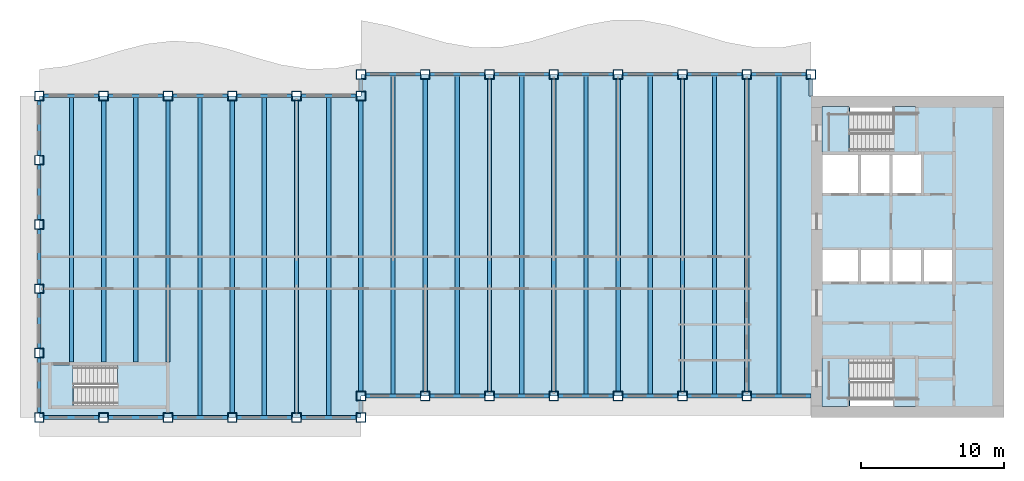
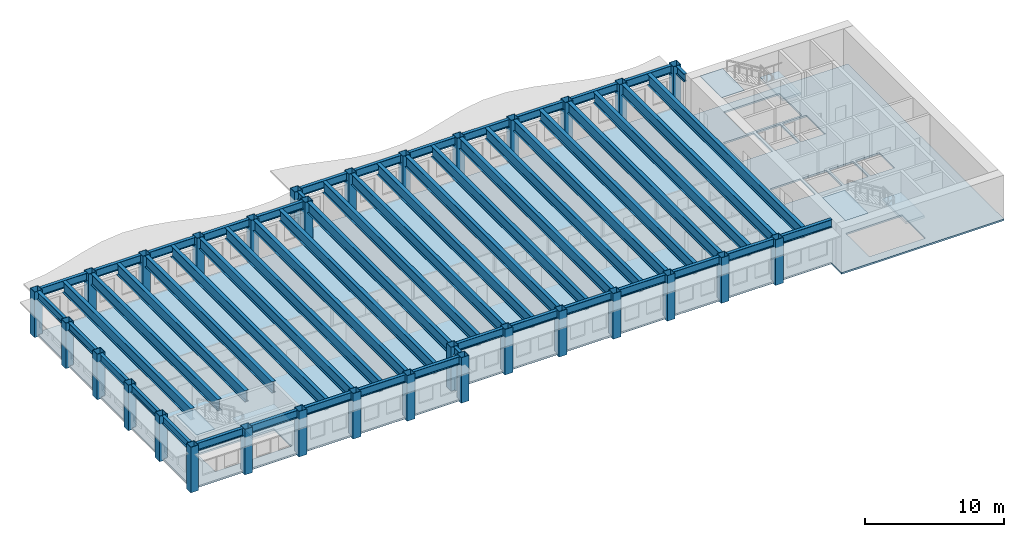
# One storey, part 1 of 12: 55 beams, 31 columns, 7 slabs, 3 elements without a shape of their own.
"""IFC4 building model written with IfcOpenShell, lengths in metres."""

from ifc_helpers import new_model, si_unit, direction, frame, origin, origin_2d, place, context, subcontext, project, spatial, polyline, hollow_rectangle, i_section, outline, extrude, material, layer, layer_set, material_profile, profile_set, type_object, element, aggregate, save


model = new_model("IFC4")

# Units and contexts
model_context = context("Model", 3, precision=1e-05, world=origin(), true_north=direction((0.0, 1.0)))
body_context = subcontext(model_context, "Body", "Model", "MODEL_VIEW")
ifc_project = project(units=[si_unit("LENGTHUNIT", "METRE"), si_unit("AREAUNIT", "SQUARE_METRE"), si_unit("VOLUMEUNIT", "CUBIC_METRE"), si_unit("PLANEANGLEUNIT", "RADIAN"), si_unit("MASSUNIT", "GRAM", prefix="KILO")], contexts=[model_context])

# Site, building, storey
site_placement = place(None, origin())
site = spatial("IfcSite", under=ifc_project, at=site_placement, CompositionType="ELEMENT")
building_placement = place(site_placement, origin())
building = spatial("IfcBuilding", under=site, at=building_placement, Name="Sennacour Bend Tower", CompositionType="ELEMENT")
storey_placement = place(building_placement, frame((0.0, 0.0, 253.0)))
storey = spatial("IfcBuildingStorey", under=building, at=storey_placement, Name="L58", CompositionType="ELEMENT", Elevation=253.0)

# Columns
ifc_material_1 = material(Name="Steel ASTM A572 Grade 50", Category="steel")
ifc_material_profile_1 = material_profile(ifc_material_1, hollow_rectangle(XDim=0.64990234375, YDim=0.64990234375, WallThickness=0.031982421875, at=origin_2d()), Name="Steel ASTM A572 Grade 50", Category="steel")
ifc_profile_set_1 = profile_set([ifc_material_profile_1], Name="Steel ASTM A572 Grade 50")
column_type = type_object("IfcColumnType", Name="Box column 650", PredefinedType="COLUMN", material=ifc_profile_set_1)
for number, where, z_axis, x_axis, name in (
    (1, (0.0, 0.0, -0.14990234375), (0.0, 0.0, 1.0), (1.0, 0.0, 0.0), "Perimeter column C5 L58-001"),
    (2, (0.0, 4.5, -0.14990234375), (0.0, 0.0, 1.0), (1.0, 0.0, 0.0), "Perimeter column C5 L58-002"),
    (3, (0.0, 9.0, -0.14990234375), (0.0, 0.0, 1.0), (1.0, 0.0, 0.0), "Perimeter column C5 L58-003"),
    (4, (0.0, 13.5, -0.14990234375), (0.0, 0.0, 1.0), (1.0, 0.0, 0.0), "Perimeter column C5 L58-004"),
    (5, (0.0, 18.0, -0.14990234375), (0.0, 0.0, 1.0), (1.0, 0.0, 0.0), "Perimeter column C5 L58-005"),
    (6, (0.0, 22.5, -0.14990234375), (0.0, 0.0, 1.0), (1.0, 0.0, 0.0), "Perimeter column C5 L58-006"),
    (7, (4.5, 0.0, -0.14990234375), (0.0, 0.0, 1.0), (1.0, 0.0, 0.0), "Perimeter column C5 L58-007"),
    (8, (4.5, 22.5, -0.14990234375), (0.0, 0.0, 1.0), (1.0, 0.0, 0.0), "Perimeter column C5 L58-008"),
    (9, (9.0, 0.0, -0.14990234375), (0.0, 0.0, 1.0), (1.0, 0.0, 0.0), "Perimeter column C5 L58-009"),
    (10, (9.0, 22.5, -0.14990234375), (0.0, 0.0, 1.0), (1.0, 0.0, 0.0), "Perimeter column C5 L58-010"),
    (11, (13.5, 0.0, -0.14990234375), (0.0, 0.0, 1.0), (1.0, 0.0, 0.0), "Perimeter column C5 L58-011"),
    (12, (13.5, 22.5, -0.14990234375), (0.0, 0.0, 1.0), (1.0, 0.0, 0.0), "Perimeter column C5 L58-012"),
    (13, (18.0, 0.0, -0.14990234375), (0.0, 0.0, 1.0), (1.0, 0.0, 0.0), "Perimeter column C5 L58-013"),
    (14, (18.0, 22.5, -0.14990234375), (0.0, 0.0, 1.0), (1.0, 0.0, 0.0), "Perimeter column C5 L58-014"),
    (15, (22.5, 0.0, -0.14990234375), (0.0, 0.0, 1.0), (1.0, 0.0, 0.0), "Perimeter column C5 L58-015"),
    (16, (22.5, 1.5, -0.14990234375), (0.0, 0.0, 1.0), (1.0, 0.0, 0.0), "Perimeter column C5 L58-016"),
    (17, (22.5, 22.5, -0.14990234375), (0.0, 0.0, 1.0), (1.0, 0.0, 0.0), "Perimeter column C5 L58-017"),
    (18, (22.5, 24.0, -0.14990234375), (0.0, 0.0, 1.0), (1.0, 0.0, 0.0), "Perimeter column C5 L58-018"),
    (19, (27.0, 1.5, -0.14990234375), (0.0, 0.0, 1.0), (1.0, 0.0, 0.0), "Perimeter column C5 L58-019"),
    (20, (27.0, 24.0, -0.14990234375), (0.0, 0.0, 1.0), (1.0, 0.0, 0.0), "Perimeter column C5 L58-020"),
    (21, (31.5, 1.5, -0.14990234375), (0.0, 0.0, 1.0), (1.0, 0.0, 0.0), "Perimeter column C5 L58-021"),
    (22, (31.5, 24.0, -0.14990234375), (0.0, 0.0, 1.0), (1.0, 0.0, 0.0), "Perimeter column C5 L58-022"),
    (23, (36.0, 1.5, -0.14990234375), (0.0, 0.0, 1.0), (1.0, 0.0, 0.0), "Perimeter column C5 L58-023"),
    (24, (36.0, 24.0, -0.14990234375), (0.0, 0.0, 1.0), (1.0, 0.0, 0.0), "Perimeter column C5 L58-024"),
    (25, (40.5, 1.5, -0.14990234375), (0.0, 0.0, 1.0), (1.0, 0.0, 0.0), "Perimeter column C5 L58-025"),
    (26, (40.5, 24.0, -0.14990234375), (0.0, 0.0, 1.0), (1.0, 0.0, 0.0), "Perimeter column C5 L58-026"),
    (27, (45.0, 1.5, -0.14990234375), (0.0, 0.0, 1.0), (1.0, 0.0, 0.0), "Perimeter column C5 L58-027"),
    (28, (45.0, 24.0, -0.14990234375), (0.0, 0.0, 1.0), (1.0, 0.0, 0.0), "Perimeter column C5 L58-028"),
    (29, (49.5, 1.5, -0.14990234375), (0.0, 0.0, 1.0), (1.0, 0.0, 0.0), "Perimeter column C5 L58-029"),
    (30, (49.5, 24.0, -0.14990234375), (0.0, 0.0, 1.0), (1.0, 0.0, 0.0), "Perimeter column C5 L58-030"),
    (31, (54.0, 24.0, -0.14990234375), (0.0, 0.0, 1.0), (1.0, 0.0, 0.0), "Perimeter column C5 L58-031"),
):
    element("IfcColumn", number, at=place(storey_placement, frame(where, z_axis=z_axis, x_axis=x_axis)), inside=storey, type_object=column_type, Name=name, PredefinedType="COLUMN", context=body_context, shape_type="SweptSolid", body=[
        extrude(hollow_rectangle(XDim=0.64990234375, YDim=0.64990234375, WallThickness=0.031982421875, at=origin_2d()), origin(), (0.0, 0.0, 1.0), 4.0),
    ])

# Beams
ifc_material_2 = material(Name="Steel ASTM A992 Grade 50", Category="steel")
ifc_material_profile_2 = material_profile(ifc_material_2, i_section(OverallWidth=0.300048828125, OverallDepth=0.97998046875, WebThickness=0.0166015625, FlangeThickness=0.026123046875, FilletRadius=0.02978515625, at=origin_2d()), Name="Steel ASTM A992 Grade 50", Category="steel")
ifc_profile_set_2 = profile_set([ifc_material_profile_2], Name="Steel ASTM A992 Grade 50")
beam_type_1 = type_object("IfcBeamType", Name="Floor beam W1000X249", PredefinedType="BEAM", material=ifc_profile_set_2)
beam_1_placement = place(storey_placement, frame((2.25, 3.875, 3.360107421875), z_axis=(0.0, 1.0, 0.0), x_axis=(-1.0, 0.0, 0.0)))
element("IfcBeam", 32, at=beam_1_placement, inside=storey, type_object=beam_type_1, Name="Floor beam FBM2 L59-001", PredefinedType="BEAM", context=body_context, shape_type="SweptSolid", body=[
    extrude(i_section(OverallWidth=0.300048828125, OverallDepth=0.97998046875, WebThickness=0.0166015625, FlangeThickness=0.026123046875, FilletRadius=0.02978515625, at=origin_2d()), origin(), (0.0, 0.0, 1.0), 18.498046875),
])
beam_2_placement = place(storey_placement, frame((4.5, 3.875, 3.360107421875), z_axis=(0.0, 1.0, 0.0), x_axis=(-1.0, 0.0, 0.0)))
element("IfcBeam", 33, at=beam_2_placement, inside=storey, type_object=beam_type_1, Name="Floor beam FBM2 L59-002", PredefinedType="BEAM", context=body_context, shape_type="SweptSolid", body=[
    extrude(i_section(OverallWidth=0.300048828125, OverallDepth=0.97998046875, WebThickness=0.0166015625, FlangeThickness=0.026123046875, FilletRadius=0.02978515625, at=origin_2d()), origin(), (0.0, 0.0, 1.0), 18.300048828125),
])
beam_3_placement = place(storey_placement, frame((6.75, 3.875, 3.360107421875), z_axis=(0.0, 1.0, 0.0), x_axis=(-1.0, 0.0, 0.0)))
element("IfcBeam", 34, at=beam_3_placement, inside=storey, type_object=beam_type_1, Name="Floor beam FBM2 L59-003", PredefinedType="BEAM", context=body_context, shape_type="SweptSolid", body=[
    extrude(i_section(OverallWidth=0.300048828125, OverallDepth=0.97998046875, WebThickness=0.0166015625, FlangeThickness=0.026123046875, FilletRadius=0.02978515625, at=origin_2d()), origin(), (0.0, 0.0, 1.0), 18.498046875),
])
beam_4_placement = place(storey_placement, frame((9.0, 3.875, 3.360107421875), z_axis=(0.0, 1.0, 0.0), x_axis=(-1.0, 0.0, 0.0)))
element("IfcBeam", 35, at=beam_4_placement, inside=storey, type_object=beam_type_1, Name="Floor beam FBM2 L59-004", PredefinedType="BEAM", context=body_context, shape_type="SweptSolid", body=[
    extrude(i_section(OverallWidth=0.300048828125, OverallDepth=0.97998046875, WebThickness=0.0166015625, FlangeThickness=0.026123046875, FilletRadius=0.02978515625, at=origin_2d()), origin(), (0.0, 0.0, 1.0), 18.300048828125),
])
beam_5_placement = place(storey_placement, frame((11.25, 0.126953125, 3.360107421875), z_axis=(0.0, 1.0, 0.0), x_axis=(-1.0, 0.0, 0.0)))
element("IfcBeam", 36, at=beam_5_placement, inside=storey, type_object=beam_type_1, Name="Floor beam FBM2 L59-005", PredefinedType="BEAM", context=body_context, shape_type="SweptSolid", body=[
    extrude(i_section(OverallWidth=0.300048828125, OverallDepth=0.97998046875, WebThickness=0.0166015625, FlangeThickness=0.026123046875, FilletRadius=0.02978515625, at=origin_2d()), origin(), (0.0, 0.0, 1.0), 22.24609375),
])
beam_6_placement = place(storey_placement, frame((13.5, 0.324951171875, 3.360107421875), z_axis=(0.0, 1.0, 0.0), x_axis=(-1.0, 0.0, 0.0)))
element("IfcBeam", 37, at=beam_6_placement, inside=storey, type_object=beam_type_1, Name="Floor beam FBM2 L59-006", PredefinedType="BEAM", context=body_context, shape_type="SweptSolid", body=[
    extrude(i_section(OverallWidth=0.300048828125, OverallDepth=0.97998046875, WebThickness=0.0166015625, FlangeThickness=0.026123046875, FilletRadius=0.02978515625, at=origin_2d()), origin(), (0.0, 0.0, 1.0), 21.85009765625),
])
beam_7_placement = place(storey_placement, frame((15.75, 0.126953125, 3.360107421875), z_axis=(0.0, 1.0, 0.0), x_axis=(-1.0, 0.0, 0.0)))
element("IfcBeam", 38, at=beam_7_placement, inside=storey, type_object=beam_type_1, Name="Floor beam FBM2 L59-007", PredefinedType="BEAM", context=body_context, shape_type="SweptSolid", body=[
    extrude(i_section(OverallWidth=0.300048828125, OverallDepth=0.97998046875, WebThickness=0.0166015625, FlangeThickness=0.026123046875, FilletRadius=0.02978515625, at=origin_2d()), origin(), (0.0, 0.0, 1.0), 22.24609375),
])
beam_8_placement = place(storey_placement, frame((18.0, 0.324951171875, 3.360107421875), z_axis=(0.0, 1.0, 0.0), x_axis=(-1.0, 0.0, 0.0)))
element("IfcBeam", 39, at=beam_8_placement, inside=storey, type_object=beam_type_1, Name="Floor beam FBM2 L59-008", PredefinedType="BEAM", context=body_context, shape_type="SweptSolid", body=[
    extrude(i_section(OverallWidth=0.300048828125, OverallDepth=0.97998046875, WebThickness=0.0166015625, FlangeThickness=0.026123046875, FilletRadius=0.02978515625, at=origin_2d()), origin(), (0.0, 0.0, 1.0), 21.85009765625),
])
beam_9_placement = place(storey_placement, frame((20.25, 0.126953125, 3.360107421875), z_axis=(0.0, 1.0, 0.0), x_axis=(-1.0, 0.0, 0.0)))
element("IfcBeam", 40, at=beam_9_placement, inside=storey, type_object=beam_type_1, Name="Floor beam FBM2 L59-009", PredefinedType="BEAM", context=body_context, shape_type="SweptSolid", body=[
    extrude(i_section(OverallWidth=0.300048828125, OverallDepth=0.97998046875, WebThickness=0.0166015625, FlangeThickness=0.026123046875, FilletRadius=0.02978515625, at=origin_2d()), origin(), (0.0, 0.0, 1.0), 22.24609375),
])
beam_10_placement = place(storey_placement, frame((22.5, 1.824951171875, 3.360107421875), z_axis=(0.0, 1.0, 0.0), x_axis=(-1.0, 0.0, 0.0)))
element("IfcBeam", 41, at=beam_10_placement, inside=storey, type_object=beam_type_1, Name="Floor beam FBM2 L59-010", PredefinedType="BEAM", context=body_context, shape_type="SweptSolid", body=[
    extrude(i_section(OverallWidth=0.300048828125, OverallDepth=0.97998046875, WebThickness=0.0166015625, FlangeThickness=0.026123046875, FilletRadius=0.02978515625, at=origin_2d()), origin(), (0.0, 0.0, 1.0), 20.35009765625),
])
beam_11_placement = place(storey_placement, frame((24.75, 1.626953125, 3.360107421875), z_axis=(0.0, 1.0, 0.0), x_axis=(-1.0, 0.0, 0.0)))
element("IfcBeam", 42, at=beam_11_placement, inside=storey, type_object=beam_type_1, Name="Floor beam FBM2 L59-011", PredefinedType="BEAM", context=body_context, shape_type="SweptSolid", body=[
    extrude(i_section(OverallWidth=0.300048828125, OverallDepth=0.97998046875, WebThickness=0.0166015625, FlangeThickness=0.026123046875, FilletRadius=0.02978515625, at=origin_2d()), origin(), (0.0, 0.0, 1.0), 22.24609375),
])
beam_12_placement = place(storey_placement, frame((27.0, 1.824951171875, 3.360107421875), z_axis=(0.0, 1.0, 0.0), x_axis=(-1.0, 0.0, 0.0)))
element("IfcBeam", 43, at=beam_12_placement, inside=storey, type_object=beam_type_1, Name="Floor beam FBM2 L59-012", PredefinedType="BEAM", context=body_context, shape_type="SweptSolid", body=[
    extrude(i_section(OverallWidth=0.300048828125, OverallDepth=0.97998046875, WebThickness=0.0166015625, FlangeThickness=0.026123046875, FilletRadius=0.02978515625, at=origin_2d()), origin(), (0.0, 0.0, 1.0), 21.85009765625),
])
beam_13_placement = place(storey_placement, frame((29.25, 1.626953125, 3.360107421875), z_axis=(0.0, 1.0, 0.0), x_axis=(-1.0, 0.0, 0.0)))
element("IfcBeam", 44, at=beam_13_placement, inside=storey, type_object=beam_type_1, Name="Floor beam FBM2 L59-013", PredefinedType="BEAM", context=body_context, shape_type="SweptSolid", body=[
    extrude(i_section(OverallWidth=0.300048828125, OverallDepth=0.97998046875, WebThickness=0.0166015625, FlangeThickness=0.026123046875, FilletRadius=0.02978515625, at=origin_2d()), origin(), (0.0, 0.0, 1.0), 22.24609375),
])
beam_14_placement = place(storey_placement, frame((31.5, 1.824951171875, 3.360107421875), z_axis=(0.0, 1.0, 0.0), x_axis=(-1.0, 0.0, 0.0)))
element("IfcBeam", 45, at=beam_14_placement, inside=storey, type_object=beam_type_1, Name="Floor beam FBM2 L59-014", PredefinedType="BEAM", context=body_context, shape_type="SweptSolid", body=[
    extrude(i_section(OverallWidth=0.300048828125, OverallDepth=0.97998046875, WebThickness=0.0166015625, FlangeThickness=0.026123046875, FilletRadius=0.02978515625, at=origin_2d()), origin(), (0.0, 0.0, 1.0), 21.85009765625),
])
beam_15_placement = place(storey_placement, frame((33.75, 1.626953125, 3.360107421875), z_axis=(0.0, 1.0, 0.0), x_axis=(-1.0, 0.0, 0.0)))
element("IfcBeam", 46, at=beam_15_placement, inside=storey, type_object=beam_type_1, Name="Floor beam FBM2 L59-015", PredefinedType="BEAM", context=body_context, shape_type="SweptSolid", body=[
    extrude(i_section(OverallWidth=0.300048828125, OverallDepth=0.97998046875, WebThickness=0.0166015625, FlangeThickness=0.026123046875, FilletRadius=0.02978515625, at=origin_2d()), origin(), (0.0, 0.0, 1.0), 22.24609375),
])
beam_16_placement = place(storey_placement, frame((36.0, 1.824951171875, 3.360107421875), z_axis=(0.0, 1.0, 0.0), x_axis=(-1.0, 0.0, 0.0)))
element("IfcBeam", 47, at=beam_16_placement, inside=storey, type_object=beam_type_1, Name="Floor beam FBM2 L59-016", PredefinedType="BEAM", context=body_context, shape_type="SweptSolid", body=[
    extrude(i_section(OverallWidth=0.300048828125, OverallDepth=0.97998046875, WebThickness=0.0166015625, FlangeThickness=0.026123046875, FilletRadius=0.02978515625, at=origin_2d()), origin(), (0.0, 0.0, 1.0), 21.85009765625),
])
beam_17_placement = place(storey_placement, frame((38.25, 1.626953125, 3.360107421875), z_axis=(0.0, 1.0, 0.0), x_axis=(-1.0, 0.0, 0.0)))
element("IfcBeam", 48, at=beam_17_placement, inside=storey, type_object=beam_type_1, Name="Floor beam FBM2 L59-017", PredefinedType="BEAM", context=body_context, shape_type="SweptSolid", body=[
    extrude(i_section(OverallWidth=0.300048828125, OverallDepth=0.97998046875, WebThickness=0.0166015625, FlangeThickness=0.026123046875, FilletRadius=0.02978515625, at=origin_2d()), origin(), (0.0, 0.0, 1.0), 22.24609375),
])
beam_18_placement = place(storey_placement, frame((40.5, 1.824951171875, 3.360107421875), z_axis=(0.0, 1.0, 0.0), x_axis=(-1.0, 0.0, 0.0)))
element("IfcBeam", 49, at=beam_18_placement, inside=storey, type_object=beam_type_1, Name="Floor beam FBM2 L59-018", PredefinedType="BEAM", context=body_context, shape_type="SweptSolid", body=[
    extrude(i_section(OverallWidth=0.300048828125, OverallDepth=0.97998046875, WebThickness=0.0166015625, FlangeThickness=0.026123046875, FilletRadius=0.02978515625, at=origin_2d()), origin(), (0.0, 0.0, 1.0), 21.85009765625),
])
beam_19_placement = place(storey_placement, frame((42.75, 1.626953125, 3.360107421875), z_axis=(0.0, 1.0, 0.0), x_axis=(-1.0, 0.0, 0.0)))
element("IfcBeam", 50, at=beam_19_placement, inside=storey, type_object=beam_type_1, Name="Floor beam FBM2 L59-019", PredefinedType="BEAM", context=body_context, shape_type="SweptSolid", body=[
    extrude(i_section(OverallWidth=0.300048828125, OverallDepth=0.97998046875, WebThickness=0.0166015625, FlangeThickness=0.026123046875, FilletRadius=0.02978515625, at=origin_2d()), origin(), (0.0, 0.0, 1.0), 22.24609375),
])
beam_20_placement = place(storey_placement, frame((45.0, 1.824951171875, 3.360107421875), z_axis=(0.0, 1.0, 0.0), x_axis=(-1.0, 0.0, 0.0)))
element("IfcBeam", 51, at=beam_20_placement, inside=storey, type_object=beam_type_1, Name="Floor beam FBM2 L59-020", PredefinedType="BEAM", context=body_context, shape_type="SweptSolid", body=[
    extrude(i_section(OverallWidth=0.300048828125, OverallDepth=0.97998046875, WebThickness=0.0166015625, FlangeThickness=0.026123046875, FilletRadius=0.02978515625, at=origin_2d()), origin(), (0.0, 0.0, 1.0), 21.85009765625),
])
beam_21_placement = place(storey_placement, frame((47.25, 1.626953125, 3.360107421875), z_axis=(0.0, 1.0, 0.0), x_axis=(-1.0, 0.0, 0.0)))
element("IfcBeam", 52, at=beam_21_placement, inside=storey, type_object=beam_type_1, Name="Floor beam FBM2 L59-021", PredefinedType="BEAM", context=body_context, shape_type="SweptSolid", body=[
    extrude(i_section(OverallWidth=0.300048828125, OverallDepth=0.97998046875, WebThickness=0.0166015625, FlangeThickness=0.026123046875, FilletRadius=0.02978515625, at=origin_2d()), origin(), (0.0, 0.0, 1.0), 22.24609375),
])
beam_22_placement = place(storey_placement, frame((49.5, 1.824951171875, 3.360107421875), z_axis=(0.0, 1.0, 0.0), x_axis=(-1.0, 0.0, 0.0)))
element("IfcBeam", 53, at=beam_22_placement, inside=storey, type_object=beam_type_1, Name="Floor beam FBM2 L59-022", PredefinedType="BEAM", context=body_context, shape_type="SweptSolid", body=[
    extrude(i_section(OverallWidth=0.300048828125, OverallDepth=0.97998046875, WebThickness=0.0166015625, FlangeThickness=0.026123046875, FilletRadius=0.02978515625, at=origin_2d()), origin(), (0.0, 0.0, 1.0), 21.85009765625),
])
beam_23_placement = place(storey_placement, frame((51.75, 1.626953125, 3.360107421875), z_axis=(0.0, 1.0, 0.0), x_axis=(-1.0, 0.0, 0.0)))
element("IfcBeam", 54, at=beam_23_placement, inside=storey, type_object=beam_type_1, Name="Floor beam FBM2 L59-023", PredefinedType="BEAM", context=body_context, shape_type="SweptSolid", body=[
    extrude(i_section(OverallWidth=0.300048828125, OverallDepth=0.97998046875, WebThickness=0.0166015625, FlangeThickness=0.026123046875, FilletRadius=0.02978515625, at=origin_2d()), origin(), (0.0, 0.0, 1.0), 22.24609375),
])
ifc_material_profile_3 = material_profile(ifc_material_2, i_section(OverallWidth=0.25390625, OverallDepth=0.68798828125, WebThickness=0.01318359375, FlangeThickness=0.02099609375, FilletRadius=0.01513671875, at=origin_2d()), Name="Steel ASTM A992 Grade 50", Category="steel")
ifc_profile_set_3 = profile_set([ifc_material_profile_3], Name="Steel ASTM A992 Grade 50")
beam_type_2 = type_object("IfcBeamType", Name="Spandrel beam W690X152", PredefinedType="SPANDREL", material=ifc_profile_set_3)
for number, where, z_axis, x_axis, name in (
    (55, (22.175048828125, 0.0, 3.506103515625), (-1.0, 0.0, 0.0), (0.0, -1.0, 0.0), "Spandrel beam SP6 L59-001"),
    (56, (17.675048828125, 0.0, 3.506103515625), (-1.0, 0.0, 0.0), (0.0, -1.0, 0.0), "Spandrel beam SP6 L59-002"),
    (57, (13.175048828125, 0.0, 3.506103515625), (-1.0, 0.0, 0.0), (0.0, -1.0, 0.0), "Spandrel beam SP6 L59-003"),
    (58, (8.675048828125, 0.0, 3.506103515625), (-1.0, 0.0, 0.0), (0.0, -1.0, 0.0), "Spandrel beam SP6 L59-004"),
    (59, (4.175048828125, 0.0, 3.506103515625), (-1.0, 0.0, 0.0), (0.0, -1.0, 0.0), "Spandrel beam SP6 L59-005"),
    (60, (0.0, 0.324951171875, 3.506103515625), (0.0, 1.0, 0.0), (-1.0, 0.0, 0.0), "Spandrel beam SP6 L59-006"),
    (61, (0.0, 4.824951171875, 3.506103515625), (0.0, 1.0, 0.0), (-1.0, 0.0, 0.0), "Spandrel beam SP6 L59-007"),
    (62, (0.0, 9.324951171875, 3.506103515625), (0.0, 1.0, 0.0), (-1.0, 0.0, 0.0), "Spandrel beam SP6 L59-008"),
    (63, (0.0, 13.824951171875, 3.506103515625), (0.0, 1.0, 0.0), (-1.0, 0.0, 0.0), "Spandrel beam SP6 L59-009"),
    (64, (0.0, 18.324951171875, 3.506103515625), (0.0, 1.0, 0.0), (-1.0, 0.0, 0.0), "Spandrel beam SP6 L59-010"),
    (65, (0.324951171875, 22.5, 3.506103515625), (1.0, 0.0, 0.0), (0.0, 1.0, 0.0), "Spandrel beam SP6 L59-011"),
    (66, (4.824951171875, 22.5, 3.506103515625), (1.0, 0.0, 0.0), (0.0, 1.0, 0.0), "Spandrel beam SP6 L59-012"),
    (67, (9.324951171875, 22.5, 3.506103515625), (1.0, 0.0, 0.0), (0.0, 1.0, 0.0), "Spandrel beam SP6 L59-013"),
    (68, (13.824951171875, 22.5, 3.506103515625), (1.0, 0.0, 0.0), (0.0, 1.0, 0.0), "Spandrel beam SP6 L59-014"),
    (69, (18.324951171875, 22.5, 3.506103515625), (1.0, 0.0, 0.0), (0.0, 1.0, 0.0), "Spandrel beam SP6 L59-015"),
):
    element("IfcBeam", number, at=place(storey_placement, frame(where, z_axis=z_axis, x_axis=x_axis)), inside=storey, type_object=beam_type_2, Name=name, PredefinedType="SPANDREL", context=body_context, shape_type="SweptSolid", body=[
        extrude(i_section(OverallWidth=0.25390625, OverallDepth=0.68798828125, WebThickness=0.01318359375, FlangeThickness=0.02099609375, FilletRadius=0.01513671875, at=origin_2d()), origin(), (0.0, 0.0, 1.0), 3.85009765625),
    ])
beam_24_placement = place(storey_placement, frame((22.5, 22.824951171875, 3.506103515625), z_axis=(0.0, 1.0, 0.0), x_axis=(-1.0, 0.0, 0.0)))
element("IfcBeam", 70, at=beam_24_placement, inside=storey, type_object=beam_type_2, Name="Spandrel beam SP6 L59-016", PredefinedType="SPANDREL", context=body_context, shape_type="SweptSolid", body=[
    extrude(i_section(OverallWidth=0.25390625, OverallDepth=0.68798828125, WebThickness=0.01318359375, FlangeThickness=0.02099609375, FilletRadius=0.01513671875, at=origin_2d()), origin(), (0.0, 0.0, 1.0), 0.85009765625),
])
for number, where, z_axis, x_axis, name in (
    (71, (22.824951171875, 24.0, 3.506103515625), (1.0, 0.0, 0.0), (0.0, 1.0, 0.0), "Spandrel beam SP6 L59-017"),
    (72, (27.324951171875, 24.0, 3.506103515625), (1.0, 0.0, 0.0), (0.0, 1.0, 0.0), "Spandrel beam SP6 L59-018"),
    (73, (31.824951171875, 24.0, 3.506103515625), (1.0, 0.0, 0.0), (0.0, 1.0, 0.0), "Spandrel beam SP6 L59-019"),
    (74, (36.324951171875, 24.0, 3.506103515625), (1.0, 0.0, 0.0), (0.0, 1.0, 0.0), "Spandrel beam SP6 L59-020"),
    (75, (40.824951171875, 24.0, 3.506103515625), (1.0, 0.0, 0.0), (0.0, 1.0, 0.0), "Spandrel beam SP6 L59-021"),
    (76, (45.324951171875, 24.0, 3.506103515625), (1.0, 0.0, 0.0), (0.0, 1.0, 0.0), "Spandrel beam SP6 L59-022"),
    (77, (49.824951171875, 24.0, 3.506103515625), (1.0, 0.0, 0.0), (0.0, 1.0, 0.0), "Spandrel beam SP6 L59-023"),
):
    element("IfcBeam", number, at=place(storey_placement, frame(where, z_axis=z_axis, x_axis=x_axis)), inside=storey, type_object=beam_type_2, Name=name, PredefinedType="SPANDREL", context=body_context, shape_type="SweptSolid", body=[
        extrude(i_section(OverallWidth=0.25390625, OverallDepth=0.68798828125, WebThickness=0.01318359375, FlangeThickness=0.02099609375, FilletRadius=0.01513671875, at=origin_2d()), origin(), (0.0, 0.0, 1.0), 3.85009765625),
    ])
beam_25_placement = place(storey_placement, frame((54.0, 23.675048828125, 3.506103515625), z_axis=(0.0, -1.0, 0.0), x_axis=(1.0, 0.0, 0.0)))
element("IfcBeam", 78, at=beam_25_placement, inside=storey, type_object=beam_type_2, Name="Spandrel beam SP6 L59-024", PredefinedType="SPANDREL", context=body_context, shape_type="SweptSolid", body=[
    extrude(i_section(OverallWidth=0.25390625, OverallDepth=0.68798828125, WebThickness=0.01318359375, FlangeThickness=0.02099609375, FilletRadius=0.01513671875, at=origin_2d()), origin(), (0.0, 0.0, 1.0), 1.175048828125),
])
beam_26_placement = place(storey_placement, frame((54.0, 1.5, 3.506103515625), z_axis=(-1.0, 0.0, 0.0), x_axis=(0.0, -1.0, 0.0)))
element("IfcBeam", 79, at=beam_26_placement, inside=storey, type_object=beam_type_2, Name="Spandrel beam SP6 L59-025", PredefinedType="SPANDREL", context=body_context, shape_type="SweptSolid", body=[
    extrude(i_section(OverallWidth=0.25390625, OverallDepth=0.68798828125, WebThickness=0.01318359375, FlangeThickness=0.02099609375, FilletRadius=0.01513671875, at=origin_2d()), origin(), (0.0, 0.0, 1.0), 4.175048828125),
])
for number, where, z_axis, x_axis, name in (
    (80, (49.175048828125, 1.5, 3.506103515625), (-1.0, 0.0, 0.0), (0.0, -1.0, 0.0), "Spandrel beam SP6 L59-026"),
    (81, (44.675048828125, 1.5, 3.506103515625), (-1.0, 0.0, 0.0), (0.0, -1.0, 0.0), "Spandrel beam SP6 L59-027"),
    (82, (40.175048828125, 1.5, 3.506103515625), (-1.0, 0.0, 0.0), (0.0, -1.0, 0.0), "Spandrel beam SP6 L59-028"),
    (83, (35.675048828125, 1.5, 3.506103515625), (-1.0, 0.0, 0.0), (0.0, -1.0, 0.0), "Spandrel beam SP6 L59-029"),
    (84, (31.175048828125, 1.5, 3.506103515625), (-1.0, 0.0, 0.0), (0.0, -1.0, 0.0), "Spandrel beam SP6 L59-030"),
    (85, (26.675048828125, 1.5, 3.506103515625), (-1.0, 0.0, 0.0), (0.0, -1.0, 0.0), "Spandrel beam SP6 L59-031"),
):
    element("IfcBeam", number, at=place(storey_placement, frame(where, z_axis=z_axis, x_axis=x_axis)), inside=storey, type_object=beam_type_2, Name=name, PredefinedType="SPANDREL", context=body_context, shape_type="SweptSolid", body=[
        extrude(i_section(OverallWidth=0.25390625, OverallDepth=0.68798828125, WebThickness=0.01318359375, FlangeThickness=0.02099609375, FilletRadius=0.01513671875, at=origin_2d()), origin(), (0.0, 0.0, 1.0), 3.85009765625),
    ])
beam_27_placement = place(storey_placement, frame((22.5, 1.175048828125, 3.506103515625), z_axis=(0.0, -1.0, 0.0), x_axis=(1.0, 0.0, 0.0)))
element("IfcBeam", 86, at=beam_27_placement, inside=storey, type_object=beam_type_2, Name="Spandrel beam SP6 L59-032", PredefinedType="SPANDREL", context=body_context, shape_type="SweptSolid", body=[
    extrude(i_section(OverallWidth=0.25390625, OverallDepth=0.68798828125, WebThickness=0.01318359375, FlangeThickness=0.02099609375, FilletRadius=0.01513671875, at=origin_2d()), origin(), (0.0, 0.0, 1.0), 0.85009765625),
])

# Slabs
ifc_material_3 = material(Name="Concrete C30/37", Category="concrete")
ifc_layer_1 = layer(ifc_material_3, 0.14990234375, Name="Concrete C30/37", Category="concrete")
ifc_layer_set_1 = layer_set([ifc_layer_1], Name="Concrete C30/37")
slab_type_1 = type_object("IfcSlabType", Name="Floor slab 150", PredefinedType="FLOOR", material=ifc_layer_set_1)
slab_1_placement = place(storey_placement, frame((0.0, 0.0, -0.14990234375)))
element("IfcSlab", 87, at=slab_1_placement, inside=storey, type_object=slab_type_1, Name="Floor slab L58-01", PredefinedType="FLOOR", context=body_context, shape_type="SweptSolid", body=[
    extrude(outline(polyline([(0.0, 0.0), (0.0, 22.5), (22.5, 22.5), (22.5, 24.0), (54.0, 24.0), (54.0, 22.5), (67.5, 22.5), (67.5, 0.0), (54.0, 0.0), (54.0, 1.5), (22.5, 1.5), (22.5, 0.0), (0.0, 0.0)]), holes=[polyline([(8.800048828125, 3.5), (2.429931640625, 3.5), (2.429931640625, 0.949951171875), (8.800048828125, 0.949951171875), (8.800048828125, 3.5)]), polyline([(61.39990234375, 4.125), (56.72998046875, 4.125), (56.72998046875, 0.75), (61.39990234375, 0.75), (61.39990234375, 4.125)]), polyline([(57.300048828125, 11.699951171875), (54.800048828125, 11.699951171875), (54.800048828125, 9.5), (57.300048828125, 9.5), (57.300048828125, 11.699951171875)]), polyline([(59.5, 9.5), (59.5, 11.699951171875), (57.5, 11.699951171875), (57.5, 9.5), (59.5, 9.5)]), polyline([(61.699951171875, 9.5), (61.699951171875, 11.699951171875), (59.699951171875, 11.699951171875), (59.699951171875, 9.5), (61.699951171875, 9.5)]), polyline([(63.89990234375, 11.699951171875), (61.89990234375, 11.699951171875), (61.89990234375, 9.5), (63.89990234375, 9.5), (63.89990234375, 11.699951171875)]), polyline([(57.300048828125, 18.39990234375), (54.800048828125, 18.39990234375), (54.800048828125, 15.699951171875), (57.300048828125, 15.699951171875), (57.300048828125, 18.39990234375)]), polyline([(59.5, 18.39990234375), (57.5, 18.39990234375), (57.5, 15.699951171875), (59.5, 15.699951171875), (59.5, 18.39990234375)]), polyline([(61.699951171875, 15.699951171875), (61.699951171875, 18.39990234375), (59.699951171875, 18.39990234375), (59.699951171875, 15.699951171875), (61.699951171875, 15.699951171875)]), polyline([(61.39990234375, 18.574951171875), (61.39990234375, 21.75), (56.72998046875, 21.75), (56.72998046875, 18.574951171875), (61.39990234375, 18.574951171875)])]), origin(), (0.0, 0.0, 1.0), 0.14990234375),
])
ifc_material_4 = material(Name="Concrete C40/50", Category="concrete")
ifc_layer_2 = layer(ifc_material_4, 0.034912109375, Name="Concrete C40/50", Category="concrete")
ifc_layer_set_2 = layer_set([ifc_layer_2], Name="Concrete C40/50")
slab_type_2 = type_object("IfcSlabType", Name="Stair arrival nib 35", PredefinedType="FLOOR", material=ifc_layer_set_2)
slab_2_placement = place(storey_placement, frame((0.0, 0.0, 3.815185546875)))
element("IfcSlab", 88, at=slab_2_placement, inside=storey, type_object=slab_type_2, Name="L58 SA1 stair arrival nib", PredefinedType="FLOOR", context=body_context, shape_type="SweptSolid", body=[
    extrude(outline(polyline([(56.64208984375, 4.125), (54.75, 4.125), (54.75, 0.75), (56.64208984375, 0.75), (56.64208984375, 4.125)])), origin(), (0.0, 0.0, 1.0), 0.034912109375),
])
slab_3_placement = place(storey_placement, frame((0.0, 0.0, 3.815185546875)))
element("IfcSlab", 89, at=slab_3_placement, inside=storey, type_object=slab_type_2, Name="L58 SA2 stair arrival nib", PredefinedType="FLOOR", context=body_context, shape_type="SweptSolid", body=[
    extrude(outline(polyline([(56.64208984375, 21.75), (54.75, 21.75), (54.75, 18.574951171875), (56.64208984375, 18.574951171875), (56.64208984375, 21.75)])), origin(), (0.0, 0.0, 1.0), 0.034912109375),
])
slab_4_placement = place(storey_placement, frame((0.0, 0.0, 3.815185546875)))
element("IfcSlab", 90, at=slab_4_placement, inside=storey, type_object=slab_type_2, Name="L58 SK1 stair arrival nib", PredefinedType="FLOOR", context=body_context, shape_type="SweptSolid", body=[
    extrude(outline(polyline([(2.342041015625, 3.675048828125), (0.800048828125, 3.675048828125), (0.800048828125, 0.800048828125), (2.342041015625, 0.800048828125), (2.342041015625, 3.675048828125)])), origin(), (0.0, 0.0, 1.0), 0.034912109375),
])

# Stair, slab
stair_type = type_object("IfcStairType", Name="ST-DOGLEG", PredefinedType="HALF_TURN_STAIR", material=ifc_material_4)
stair_1_placement = place(storey_placement, origin())
stair_1 = element("IfcStair", 91, at=stair_1_placement, inside=storey, type_object=stair_type, Name="L58 Exit stair A1", PredefinedType="HALF_TURN_STAIR")
ifc_layer_3 = layer(ifc_material_4, 0.199951171875, Name="Concrete C40/50", Category="concrete")
ifc_layer_set_3 = layer_set([ifc_layer_3], Name="Concrete C40/50")
slab_type_3 = type_object("IfcSlabType", Name="Stair landing 200", PredefinedType="LANDING", material=ifc_layer_set_3)
slab_5_placement = place(storey_placement, frame((0.0, 0.0, 1.800048828125)))
slab_5 = element("IfcSlab", 92, at=slab_5_placement, type_object=slab_type_3, Name="SA1 landing 1", PredefinedType="LANDING", context=body_context, shape_type="SweptSolid", body=[
    extrude(outline(polyline([(59.780029296875, 0.75), (61.324951171875, 0.75), (61.324951171875, 4.125), (59.780029296875, 4.125), (59.780029296875, 0.75)])), origin(), (0.0, 0.0, 1.0), 0.199951171875),
])
aggregate(stair_1, [slab_5])

stair_2_placement = place(storey_placement, origin())
stair_2 = element("IfcStair", 93, at=stair_2_placement, inside=storey, type_object=stair_type, Name="L58 Exit stair A2", PredefinedType="HALF_TURN_STAIR")
slab_6_placement = place(storey_placement, frame((0.0, 0.0, 1.800048828125)))
slab_6 = element("IfcSlab", 94, at=slab_6_placement, type_object=slab_type_3, Name="SA2 landing 1", PredefinedType="LANDING", context=body_context, shape_type="SweptSolid", body=[
    extrude(outline(polyline([(59.780029296875, 18.574951171875), (61.324951171875, 18.574951171875), (61.324951171875, 21.75), (59.780029296875, 21.75), (59.780029296875, 18.574951171875)])), origin(), (0.0, 0.0, 1.0), 0.199951171875),
])
aggregate(stair_2, [slab_6])

stair_3_placement = place(storey_placement, origin())
stair_3 = element("IfcStair", 95, at=stair_3_placement, inside=storey, type_object=stair_type, Name="L58 Exit stair K1", PredefinedType="HALF_TURN_STAIR")
slab_7_placement = place(storey_placement, frame((0.0, 0.0, 1.800048828125)))
slab_7 = element("IfcSlab", 96, at=slab_7_placement, type_object=slab_type_3, Name="SK1 landing 1", PredefinedType="LANDING", context=body_context, shape_type="SweptSolid", body=[
    extrude(outline(polyline([(5.47998046875, 0.800048828125), (8.925048828125, 0.800048828125), (8.925048828125, 3.675048828125), (5.47998046875, 3.675048828125), (5.47998046875, 0.800048828125)])), origin(), (0.0, 0.0, 1.0), 0.199951171875),
])
aggregate(stair_3, [slab_7])

save(model, "model.ifc")
